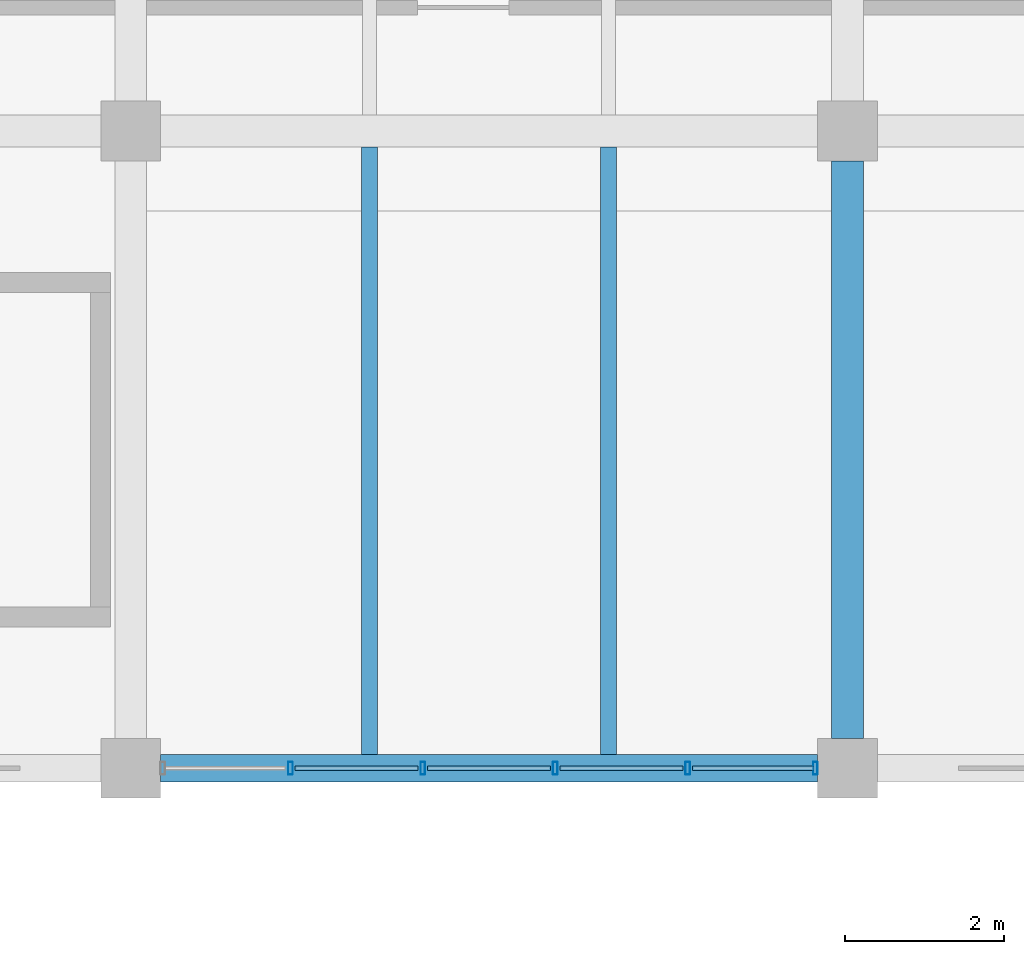
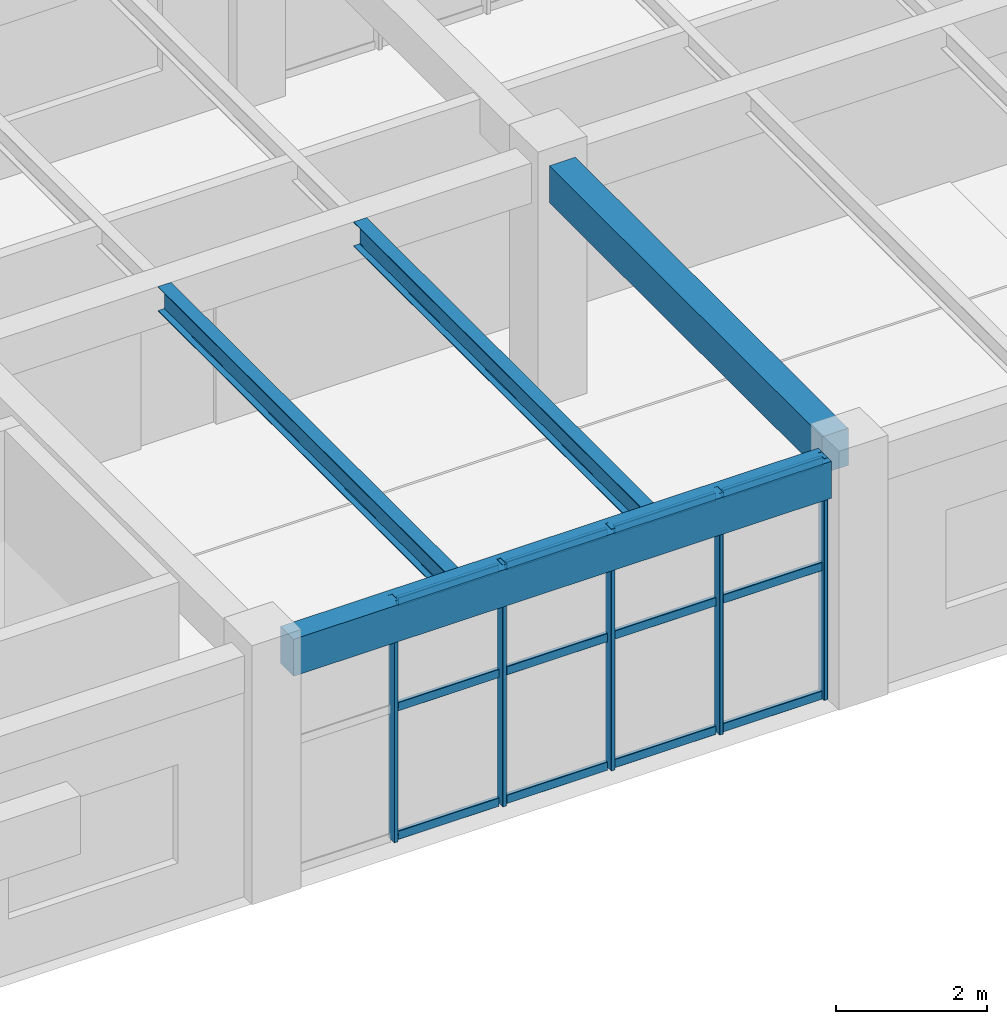
# One storey, part 85 of 148: 17 members, 4 beams, 1 element without a shape of its own.
"""IFC4 building model written with IfcOpenShell, lengths in metres."""

import ifcopenshell
import ifcopenshell.guid

model = None  # the IFC model being written
_history = None  # IfcOwnerHistory: only IFC2X3 demands one
_inside = {}  # id of a spatial element -> (the spatial element, [elements in it])
_under = {}  # id of a project, library or spatial element -> (it, [spatial elements below it])
_declared = {}  # id of a project -> (the project, [libraries it declares])
_typed = {}  # id of a type object -> (the type object, [elements of that type])
_made_of = {}  # id of a material, layer set ... -> (it, [elements and type objects made of it])


def new_model(schema):
    """Start an empty IFC model of exactly this schema.

    Asked for "IFC4X3", IfcOpenShell would pick the latest addendum, in which some entities
    have other attributes; the version numbers below select the first issue.
    IFC2X3 requires an IfcOwnerHistory on every rooted entity: one is made here for all.
    """
    global model, _history
    if schema == "IFC4X3":
        model = ifcopenshell.file(schema_version=(4, 3, 0, 0))
    else:
        model = ifcopenshell.file(schema=schema)
    _inside.clear()
    _under.clear()
    _declared.clear()
    _typed.clear()
    _made_of.clear()
    _history = None
    if model.schema == "IFC2X3":
        org = make("IfcOrganization", Name="unknown")
        user = make(
            "IfcPersonAndOrganization",
            ThePerson=make("IfcPerson", FamilyName="unknown"),
            TheOrganization=org,
        )
        app = make(
            "IfcApplication",
            ApplicationDeveloper=org,
            Version="unknown",
            ApplicationFullName="unknown",
            ApplicationIdentifier="unknown",
        )
        _history = make(
            "IfcOwnerHistory",
            OwningUser=user,
            OwningApplication=app,
            ChangeAction="ADDED",
            CreationDate=0,
        )
    return model


def make(cls, **values):
    """One entity of the class cls with the attributes given. An attribute that is None is left unset."""
    return model.create_entity(
        cls, **{name: value for name, value in values.items() if value is not None}
    )


def rooted(cls, **values):
    """An entity with a GlobalId (a new one), such as an element, a storey or a relation."""
    return make(cls, GlobalId=ifcopenshell.guid.new(), OwnerHistory=_history, **values)


def si_unit(unit_type, name, prefix=None):
    """IfcSIUnit, for example si_unit("LENGTHUNIT", "METRE", prefix="MILLI")."""
    return make("IfcSIUnit", UnitType=unit_type, Prefix=prefix, Name=name)


def derived_unit(unit_type, elements):
    """IfcDerivedUnit: a product of units, each with its exponent."""
    return make(
        "IfcDerivedUnit",
        Elements=[
            make("IfcDerivedUnitElement", Unit=unit, Exponent=power)
            for unit, power in elements
        ],
        UnitType=unit_type,
    )


def assignment(units):
    """IfcUnitAssignment: the units of a project."""
    return None if units is None else make("IfcUnitAssignment", Units=units)


def point(xyz):
    """IfcCartesianPoint."""
    return None if xyz is None else make("IfcCartesianPoint", Coordinates=xyz)


def direction(xyz):
    """IfcDirection."""
    return None if xyz is None else make("IfcDirection", DirectionRatios=xyz)


def frame(location, z_axis=None, x_axis=None):
    """IfcAxis2Placement3D, a coordinate frame: its origin and axes. An axis left out is left unset."""
    return make(
        "IfcAxis2Placement3D",
        Location=point(location),
        Axis=direction(z_axis),
        RefDirection=direction(x_axis),
    )


def frame_2d(location, x_axis=None):
    """IfcAxis2Placement2D, a coordinate frame in the plane: its origin and x axis."""
    return make(
        "IfcAxis2Placement2D", Location=point(location), RefDirection=direction(x_axis)
    )


def origin():
    """The frame at (0, 0, 0) with its axes left unset."""
    return frame((0.0, 0.0, 0.0))


def origin_2d():
    """The frame at (0, 0) in the plane with its x axis left unset."""
    return frame_2d((0.0, 0.0))


def place(relative_to, where):
    """IfcLocalPlacement: puts the frame where relative to a parent placement (None: the world)."""
    return make(
        "IfcLocalPlacement", PlacementRelTo=relative_to, RelativePlacement=where
    )


def context(
    kind, dimensions, precision=None, world=None, true_north=None, identifier=None
):
    """IfcGeometricRepresentationContext, for example the 3D "Model" context."""
    return make(
        "IfcGeometricRepresentationContext",
        ContextIdentifier=identifier,
        ContextType=kind,
        CoordinateSpaceDimension=dimensions,
        Precision=precision,
        WorldCoordinateSystem=world,
        TrueNorth=true_north,
    )


def subcontext(parent, identifier, kind, view, scale=None):
    """IfcGeometricRepresentationSubContext, for example "Body" below "Model"."""
    return make(
        "IfcGeometricRepresentationSubContext",
        ContextIdentifier=identifier,
        ContextType=kind,
        ParentContext=parent,
        TargetScale=scale,
        TargetView=view,
    )


def project(units=None, contexts=None):
    """IfcProject with its units and contexts."""
    return rooted(
        "IfcProject",
        Name="project",
        RepresentationContexts=contexts,
        UnitsInContext=assignment(units),
    )


def spatial(cls, under=None, at=None, **own):
    """A site, building, storey or space (cls), placed at a placement, below another one or the project."""
    s = rooted(cls, ObjectPlacement=at, **own)
    if under is not None:
        _under.setdefault(under.id(), (under, []))[1].append(s)
    return s


def profile(cls, at=None, kind="AREA", **sizes):
    """A parametric profile (cls). Its sizes go by their IFC names, for example OverallWidth=200.0."""
    return make(cls, ProfileType=kind, Position=at, **sizes)


def rectangle(**sizes):
    """IfcRectangleProfileDef."""
    return profile("IfcRectangleProfileDef", **sizes)


def hollow_rectangle(**sizes):
    """IfcRectangleHollowProfileDef."""
    return profile("IfcRectangleHollowProfileDef", **sizes)


def i_section(**sizes):
    """IfcIShapeProfileDef."""
    return profile("IfcIShapeProfileDef", **sizes)


def extrude(swept, where, along, depth):
    """IfcExtrudedAreaSolid: the profile swept, set in the frame where, extruded along a direction by depth."""
    return make(
        "IfcExtrudedAreaSolid",
        SweptArea=swept,
        Position=where,
        ExtrudedDirection=direction(along),
        Depth=depth,
    )


def shape(context_of_items, identifier, shape_type, items):
    """IfcShapeRepresentation: the items that make up one representation, for example the "Body"."""
    return make(
        "IfcShapeRepresentation",
        ContextOfItems=context_of_items,
        RepresentationIdentifier=identifier,
        RepresentationType=shape_type,
        Items=items,
    )


def material(Name=None, Category=None):
    """IfcMaterial."""
    return make("IfcMaterial", Name=Name, Category=Category)


def material_profile(
    of_material, cross_section, Name=None, Category=None, Priority=None
):
    """IfcMaterialProfile: a cross section and its material."""
    return make(
        "IfcMaterialProfile",
        Name=Name,
        Material=of_material,
        Profile=cross_section,
        Priority=Priority,
        Category=Category,
    )


def profile_set(profiles, Name=None, composite=None):
    """IfcMaterialProfileSet."""
    return make(
        "IfcMaterialProfileSet",
        Name=Name,
        MaterialProfiles=profiles,
        CompositeProfile=composite,
    )


def made_of(thing, what):
    """Note that an element or type object is made of a material, layer set ...; save() writes the relation."""
    if what is not None:
        _made_of.setdefault(what.id(), (what, []))[1].append(thing)
    return thing


def type_object(cls, material=None, **own):
    """A type object (cls), such as IfcWallType, which elements share."""
    return made_of(rooted(cls, **own), material)


def element(
    cls,
    number,
    at=None,
    inside=None,
    cuts=None,
    type_object=None,
    material=None,
    context=None,
    identifier="Body",
    shape_type=None,
    held_by="IfcProductDefinitionShape",
    body=None,
    shapes=None,
    **own,
):
    """One element of the class cls, such as IfcWall. Its Tag is "e" and its number.

    at: its placement. inside: the storey or other place that contains it. cuts: it is an
    opening in that element (IfcRelVoidsElement). A single representation is given by context,
    identifier, shape_type and body (its items); several are given by shapes. held_by: the class
    of the entity that holds the representations. save() writes the other relations.
    """
    e = rooted(cls, Tag="e%d" % number, ObjectPlacement=at, **own)
    if body is not None:
        shapes = [shape(context, identifier, shape_type, body)]
    if shapes is not None:
        e.Representation = make(held_by, Representations=shapes)
    if inside is not None:
        _inside.setdefault(inside.id(), (inside, []))[1].append(e)
    if cuts is not None:
        rooted(
            "IfcRelVoidsElement", RelatingBuildingElement=cuts, RelatedOpeningElement=e
        )
    if type_object is not None:
        _typed.setdefault(type_object.id(), (type_object, []))[1].append(e)
    return made_of(e, material)


def aggregate(whole, parts):
    """IfcRelAggregates: a whole, such as a stair, and the parts it consists of."""
    return rooted("IfcRelAggregates", RelatingObject=whole, RelatedObjects=parts)


def save(model, path):
    """Write the relations noted so far, then the file.

    IfcRelAggregates (storeys below a building ...), IfcRelContainedInSpatialStructure (elements
    in a storey), IfcRelDefinesByType, IfcRelAssociatesMaterial and IfcRelDeclares: one each for
    every whole, place, type object, material and project.
    """
    for whole, parts in _under.values():
        aggregate(whole, parts)
    for where, things in _inside.values():
        rooted(
            "IfcRelContainedInSpatialStructure",
            RelatedElements=things,
            RelatingStructure=where,
        )
    for kind, things in _typed.values():
        rooted("IfcRelDefinesByType", RelatedObjects=things, RelatingType=kind)
    for what, things in _made_of.values():
        rooted("IfcRelAssociatesMaterial", RelatedObjects=things, RelatingMaterial=what)
    for by, libraries in _declared.values():
        rooted("IfcRelDeclares", RelatingContext=by, RelatedDefinitions=libraries)
    model.write(path)


model = new_model("IFC4")

# Units and contexts
model_context = context("Model", 3, precision=1e-05, world=origin(), true_north=direction((0.0, 1.0)))
body_context = subcontext(model_context, "Body", "Model", "MODEL_VIEW")
ifc_project = project(units=[si_unit("LENGTHUNIT", "METRE"), si_unit("AREAUNIT", "SQUARE_METRE"), si_unit("VOLUMEUNIT", "CUBIC_METRE"), si_unit("PLANEANGLEUNIT", "RADIAN"), si_unit("MASSUNIT", "GRAM", prefix="KILO"), derived_unit("THERMALTRANSMITTANCEUNIT", [(si_unit("MASSUNIT", "GRAM", prefix="KILO"), 1), (si_unit("TIMEUNIT", "SECOND"), -3), (si_unit("THERMODYNAMICTEMPERATUREUNIT", "KELVIN"), -1)])], contexts=[model_context])

# Site, building, storey
site_placement = place(None, origin())
site = spatial("IfcSite", under=ifc_project, at=site_placement, CompositionType="ELEMENT")
building_placement = place(site_placement, origin())
building = spatial("IfcBuilding", under=site, at=building_placement, Name="Zhenchuan Archway Interchange", CompositionType="ELEMENT")
storey_placement = place(building_placement, frame((0.0, 0.0, 10.199951171875)))
storey = spatial("IfcBuildingStorey", under=building, at=storey_placement, Name="L02", CompositionType="ELEMENT", Elevation=10.199951171875)

# Beam
ifc_material_1 = material(Name="Concrete C40", Category="concrete")
ifc_material_profile_1 = material_profile(ifc_material_1, rectangle(XDim=0.39990234375, YDim=0.60009765625, at=origin_2d()), Name="RC 400x600")
ifc_profile_set_1 = profile_set([ifc_material_profile_1], Name="Concrete C40")
beam_type_1 = type_object("IfcBeamType", Name="BM_RC_400x600", PredefinedType="BEAM", material=ifc_profile_set_1)
beam_1_placement = place(storey_placement, frame((135.0, 8.375, 3.6201171875), z_axis=(0.0, 1.0, 0.0), x_axis=(-1.0, 0.0, 0.0)))
element("IfcBeam", 1, at=beam_1_placement, inside=storey, type_object=beam_type_1, Name="Beam 16:B-C (L02)", PredefinedType="BEAM", context=body_context, shape_type="SweptSolid", body=[
    extrude(rectangle(XDim=0.39990234375, YDim=0.60009765625, at=origin_2d()), origin(), (0.0, 0.0, 1.0), 7.25),
])

# Curtain wall, members
ifc_material_2 = material(Name="Anodised Aluminium", Category="aluminium")
curtain_wall_type = type_object("IfcCurtainWallType", Name="CW_UNIT_3", PredefinedType="NOTDEFINED", material=ifc_material_2)
curtain_wall_placement = place(storey_placement, origin())
curtain_wall = element("IfcCurtainWall", 2, at=curtain_wall_placement, inside=storey, type_object=curtain_wall_type, Name="Unitised curtain wall CW:L02:158", PredefinedType="NOTDEFINED")
ifc_material_profile_2 = material_profile(ifc_material_2, hollow_rectangle(XDim=0.06005859375, YDim=0.159912109375, WallThickness=0.00390625, InnerFilletRadius=0.00390625, OuterFilletRadius=0.008056640625, at=origin_2d()), Name="ALU 160x60x4")
ifc_profile_set_2 = profile_set([ifc_material_profile_2], Name="Anodised Aluminium")
member_type_1 = type_object("IfcMemberType", Name="CW_MUL_150", PredefinedType="MULLION", material=ifc_profile_set_2)
member_1_placement = place(storey_placement, frame((134.596923828125, 8.0, 0.0), z_axis=(0.0, 0.0, 1.0), x_axis=(1.0, 0.0, 0.0)))
member_1 = element("IfcMember", 3, at=member_1_placement, type_object=member_type_1, Name="CW:L02:158 mullion 0", PredefinedType="MULLION", context=body_context, shape_type="SweptSolid", body=[
    extrude(hollow_rectangle(XDim=0.06005859375, YDim=0.159912109375, WallThickness=0.00390625, InnerFilletRadius=0.00390625, OuterFilletRadius=0.008056640625, at=origin_2d()), origin(), (0.0, 0.0, 1.0), 3.920166015625),
])
member_2_placement = place(storey_placement, frame((132.994140625, 8.0, 0.0), z_axis=(0.0, 0.0, 1.0), x_axis=(1.0, 0.0, 0.0)))
member_2 = element("IfcMember", 4, at=member_2_placement, type_object=member_type_1, Name="CW:L02:158 mullion 1", PredefinedType="MULLION", context=body_context, shape_type="SweptSolid", body=[
    extrude(hollow_rectangle(XDim=0.06005859375, YDim=0.159912109375, WallThickness=0.00390625, InnerFilletRadius=0.00390625, OuterFilletRadius=0.008056640625, at=origin_2d()), origin(), (0.0, 0.0, 1.0), 3.920166015625),
])
member_3_placement = place(storey_placement, frame((131.331298828125, 8.0, 0.0), z_axis=(0.0, 0.0, 1.0), x_axis=(1.0, 0.0, 0.0)))
member_3 = element("IfcMember", 5, at=member_3_placement, type_object=member_type_1, Name="CW:L02:158 mullion 2", PredefinedType="MULLION", context=body_context, shape_type="SweptSolid", body=[
    extrude(hollow_rectangle(XDim=0.06005859375, YDim=0.159912109375, WallThickness=0.00390625, InnerFilletRadius=0.00390625, OuterFilletRadius=0.008056640625, at=origin_2d()), origin(), (0.0, 0.0, 1.0), 3.920166015625),
])
member_4_placement = place(storey_placement, frame((129.668701171875, 8.0, 0.0), z_axis=(0.0, 0.0, 1.0), x_axis=(1.0, 0.0, 0.0)))
member_4 = element("IfcMember", 6, at=member_4_placement, type_object=member_type_1, Name="CW:L02:158 mullion 3", PredefinedType="MULLION", context=body_context, shape_type="SweptSolid", body=[
    extrude(hollow_rectangle(XDim=0.06005859375, YDim=0.159912109375, WallThickness=0.00390625, InnerFilletRadius=0.00390625, OuterFilletRadius=0.008056640625, at=origin_2d()), origin(), (0.0, 0.0, 1.0), 3.920166015625),
])
member_5_placement = place(storey_placement, frame((128.005859375, 8.0, 0.0), z_axis=(0.0, 0.0, 1.0), x_axis=(1.0, 0.0, 0.0)))
member_5 = element("IfcMember", 7, at=member_5_placement, type_object=member_type_1, Name="CW:L02:158 mullion 4", PredefinedType="MULLION", context=body_context, shape_type="SweptSolid", body=[
    extrude(hollow_rectangle(XDim=0.06005859375, YDim=0.159912109375, WallThickness=0.00390625, InnerFilletRadius=0.00390625, OuterFilletRadius=0.008056640625, at=origin_2d()), origin(), (0.0, 0.0, 1.0), 3.920166015625),
])
ifc_material_profile_3 = material_profile(ifc_material_2, hollow_rectangle(XDim=0.06005859375, YDim=0.139892578125, WallThickness=0.00341796875, InnerFilletRadius=0.00341796875, OuterFilletRadius=0.007080078125, at=origin_2d()), Name="ALU 140x60x3.5")
ifc_profile_set_3 = profile_set([ifc_material_profile_3], Name="Anodised Aluminium")
member_type_2 = type_object("IfcMemberType", Name="CW_TRN_140", PredefinedType="USERDEFINED", material=ifc_profile_set_3)
member_6_placement = place(storey_placement, frame((134.576904296875, 8.0, 0.06005859375), z_axis=(-1.0, 0.0, 0.0), x_axis=(0.0, -1.0, 0.0)))
member_6 = element("IfcMember", 8, at=member_6_placement, type_object=member_type_2, Name="CW:L02:158 transom 0-1", ObjectType="TRANSOM", PredefinedType="USERDEFINED", context=body_context, shape_type="SweptSolid", body=[
    extrude(hollow_rectangle(XDim=0.06005859375, YDim=0.139892578125, WallThickness=0.00341796875, InnerFilletRadius=0.00341796875, OuterFilletRadius=0.007080078125, at=origin_2d()), origin(), (0.0, 0.0, 1.0), 1.522705078125),
])
member_7_placement = place(storey_placement, frame((134.576904296875, 8.0, 2.14501953125), z_axis=(-1.0, 0.0, 0.0), x_axis=(0.0, -1.0, 0.0)))
member_7 = element("IfcMember", 9, at=member_7_placement, type_object=member_type_2, Name="CW:L02:158 transom 0-2", ObjectType="TRANSOM", PredefinedType="USERDEFINED", context=body_context, shape_type="SweptSolid", body=[
    extrude(hollow_rectangle(XDim=0.06005859375, YDim=0.139892578125, WallThickness=0.00341796875, InnerFilletRadius=0.00341796875, OuterFilletRadius=0.007080078125, at=origin_2d()), origin(), (0.0, 0.0, 1.0), 1.522705078125),
])
member_8_placement = place(storey_placement, frame((134.576904296875, 8.0, 3.840087890625), z_axis=(-1.0, 0.0, 0.0), x_axis=(0.0, -1.0, 0.0)))
member_8 = element("IfcMember", 10, at=member_8_placement, type_object=member_type_2, Name="CW:L02:158 transom 0-3", ObjectType="TRANSOM", PredefinedType="USERDEFINED", context=body_context, shape_type="SweptSolid", body=[
    extrude(hollow_rectangle(XDim=0.06005859375, YDim=0.139892578125, WallThickness=0.00341796875, InnerFilletRadius=0.00341796875, OuterFilletRadius=0.007080078125, at=origin_2d()), origin(), (0.0, 0.0, 1.0), 1.522705078125),
])
member_9_placement = place(storey_placement, frame((132.93408203125, 8.0, 0.06005859375), z_axis=(-1.0, 0.0, 0.0), x_axis=(0.0, -1.0, 0.0)))
member_9 = element("IfcMember", 11, at=member_9_placement, type_object=member_type_2, Name="CW:L02:158 transom 1-1", ObjectType="TRANSOM", PredefinedType="USERDEFINED", context=body_context, shape_type="SweptSolid", body=[
    extrude(hollow_rectangle(XDim=0.06005859375, YDim=0.139892578125, WallThickness=0.00341796875, InnerFilletRadius=0.00341796875, OuterFilletRadius=0.007080078125, at=origin_2d()), origin(), (0.0, 0.0, 1.0), 1.542724609375),
])
member_10_placement = place(storey_placement, frame((132.93408203125, 8.0, 2.14501953125), z_axis=(-1.0, 0.0, 0.0), x_axis=(0.0, -1.0, 0.0)))
member_10 = element("IfcMember", 12, at=member_10_placement, type_object=member_type_2, Name="CW:L02:158 transom 1-2", ObjectType="TRANSOM", PredefinedType="USERDEFINED", context=body_context, shape_type="SweptSolid", body=[
    extrude(hollow_rectangle(XDim=0.06005859375, YDim=0.139892578125, WallThickness=0.00341796875, InnerFilletRadius=0.00341796875, OuterFilletRadius=0.007080078125, at=origin_2d()), origin(), (0.0, 0.0, 1.0), 1.542724609375),
])
member_11_placement = place(storey_placement, frame((132.93408203125, 8.0, 3.840087890625), z_axis=(-1.0, 0.0, 0.0), x_axis=(0.0, -1.0, 0.0)))
member_11 = element("IfcMember", 13, at=member_11_placement, type_object=member_type_2, Name="CW:L02:158 transom 1-3", ObjectType="TRANSOM", PredefinedType="USERDEFINED", context=body_context, shape_type="SweptSolid", body=[
    extrude(hollow_rectangle(XDim=0.06005859375, YDim=0.139892578125, WallThickness=0.00341796875, InnerFilletRadius=0.00341796875, OuterFilletRadius=0.007080078125, at=origin_2d()), origin(), (0.0, 0.0, 1.0), 1.542724609375),
])
member_12_placement = place(storey_placement, frame((131.271484375, 8.0, 0.06005859375), z_axis=(-1.0, 0.0, 0.0), x_axis=(0.0, -1.0, 0.0)))
member_12 = element("IfcMember", 14, at=member_12_placement, type_object=member_type_2, Name="CW:L02:158 transom 2-1", ObjectType="TRANSOM", PredefinedType="USERDEFINED", context=body_context, shape_type="SweptSolid", body=[
    extrude(hollow_rectangle(XDim=0.06005859375, YDim=0.139892578125, WallThickness=0.00341796875, InnerFilletRadius=0.00341796875, OuterFilletRadius=0.007080078125, at=origin_2d()), origin(), (0.0, 0.0, 1.0), 1.54296875),
])
member_13_placement = place(storey_placement, frame((131.271484375, 8.0, 2.14501953125), z_axis=(-1.0, 0.0, 0.0), x_axis=(0.0, -1.0, 0.0)))
member_13 = element("IfcMember", 15, at=member_13_placement, type_object=member_type_2, Name="CW:L02:158 transom 2-2", ObjectType="TRANSOM", PredefinedType="USERDEFINED", context=body_context, shape_type="SweptSolid", body=[
    extrude(hollow_rectangle(XDim=0.06005859375, YDim=0.139892578125, WallThickness=0.00341796875, InnerFilletRadius=0.00341796875, OuterFilletRadius=0.007080078125, at=origin_2d()), origin(), (0.0, 0.0, 1.0), 1.54296875),
])
member_14_placement = place(storey_placement, frame((131.271484375, 8.0, 3.840087890625), z_axis=(-1.0, 0.0, 0.0), x_axis=(0.0, -1.0, 0.0)))
member_14 = element("IfcMember", 16, at=member_14_placement, type_object=member_type_2, Name="CW:L02:158 transom 2-3", ObjectType="TRANSOM", PredefinedType="USERDEFINED", context=body_context, shape_type="SweptSolid", body=[
    extrude(hollow_rectangle(XDim=0.06005859375, YDim=0.139892578125, WallThickness=0.00341796875, InnerFilletRadius=0.00341796875, OuterFilletRadius=0.007080078125, at=origin_2d()), origin(), (0.0, 0.0, 1.0), 1.54296875),
])
member_15_placement = place(storey_placement, frame((129.608642578125, 8.0, 0.06005859375), z_axis=(-1.0, 0.0, 0.0), x_axis=(0.0, -1.0, 0.0)))
member_15 = element("IfcMember", 17, at=member_15_placement, type_object=member_type_2, Name="CW:L02:158 transom 3-1", ObjectType="TRANSOM", PredefinedType="USERDEFINED", context=body_context, shape_type="SweptSolid", body=[
    extrude(hollow_rectangle(XDim=0.06005859375, YDim=0.139892578125, WallThickness=0.00341796875, InnerFilletRadius=0.00341796875, OuterFilletRadius=0.007080078125, at=origin_2d()), origin(), (0.0, 0.0, 1.0), 1.542724609375),
])
member_16_placement = place(storey_placement, frame((129.608642578125, 8.0, 2.14501953125), z_axis=(-1.0, 0.0, 0.0), x_axis=(0.0, -1.0, 0.0)))
member_16 = element("IfcMember", 18, at=member_16_placement, type_object=member_type_2, Name="CW:L02:158 transom 3-2", ObjectType="TRANSOM", PredefinedType="USERDEFINED", context=body_context, shape_type="SweptSolid", body=[
    extrude(hollow_rectangle(XDim=0.06005859375, YDim=0.139892578125, WallThickness=0.00341796875, InnerFilletRadius=0.00341796875, OuterFilletRadius=0.007080078125, at=origin_2d()), origin(), (0.0, 0.0, 1.0), 1.542724609375),
])
member_17_placement = place(storey_placement, frame((129.608642578125, 8.0, 3.840087890625), z_axis=(-1.0, 0.0, 0.0), x_axis=(0.0, -1.0, 0.0)))
member_17 = element("IfcMember", 19, at=member_17_placement, type_object=member_type_2, Name="CW:L02:158 transom 3-3", ObjectType="TRANSOM", PredefinedType="USERDEFINED", context=body_context, shape_type="SweptSolid", body=[
    extrude(hollow_rectangle(XDim=0.06005859375, YDim=0.139892578125, WallThickness=0.00341796875, InnerFilletRadius=0.00341796875, OuterFilletRadius=0.007080078125, at=origin_2d()), origin(), (0.0, 0.0, 1.0), 1.542724609375),
])
aggregate(curtain_wall, [member_1, member_2, member_3, member_4, member_5, member_6, member_7, member_8, member_9, member_10, member_11, member_12, member_13, member_14, member_15, member_16, member_17])

# Beams
ifc_material_3 = material(Name="Steel Q355", Category="steel")
ifc_material_profile_4 = material_profile(ifc_material_3, i_section(OverallWidth=0.199951171875, OverallDepth=0.39990234375, WebThickness=0.008056640625, FlangeThickness=0.012939453125, FilletRadius=0.01611328125, at=origin_2d()), Name="HN 400x200")
ifc_profile_set_4 = profile_set([ifc_material_profile_4], Name="Steel Q355")
beam_type_2 = type_object("IfcBeamType", Name="JST_STL_HN400", PredefinedType="JOIST", material=ifc_profile_set_4)
for number, where, z_axis, x_axis, name in (
    (20, (129.0, 8.175048828125, 3.719970703125), (0.0, 1.0, 0.0), (-1.0, 0.0, 0.0), "Secondary joist 15-16/B-C #1 (L02)"),
    (21, (132.0, 8.175048828125, 3.719970703125), (0.0, 1.0, 0.0), (-1.0, 0.0, 0.0), "Secondary joist 15-16/B-C #2 (L02)"),
):
    element("IfcBeam", number, at=place(storey_placement, frame(where, z_axis=z_axis, x_axis=x_axis)), inside=storey, type_object=beam_type_2, Name=name, PredefinedType="JOIST", context=body_context, shape_type="SweptSolid", body=[
        extrude(i_section(OverallWidth=0.199951171875, OverallDepth=0.39990234375, WebThickness=0.008056640625, FlangeThickness=0.012939453125, FilletRadius=0.01611328125, at=origin_2d()), origin(), (0.0, 0.0, 1.0), 7.625),
    ])
ifc_material_profile_5 = material_profile(ifc_material_1, rectangle(XDim=0.35009765625, YDim=0.60009765625, at=origin_2d()), Name="RC 350x600")
ifc_profile_set_5 = profile_set([ifc_material_profile_5], Name="Concrete C40")
beam_type_3 = type_object("IfcBeamType", Name="SP_RC_350x600", PredefinedType="SPANDREL", material=ifc_profile_set_5)
beam_2_placement = place(storey_placement, frame((126.375, 8.0, 3.6201171875), z_axis=(1.0, 0.0, 0.0), x_axis=(0.0, 1.0, 0.0)))
element("IfcBeam", 22, at=beam_2_placement, inside=storey, type_object=beam_type_3, Name="Beam B:15-16 (L02)", PredefinedType="SPANDREL", context=body_context, shape_type="SweptSolid", body=[
    extrude(rectangle(XDim=0.35009765625, YDim=0.60009765625, at=origin_2d()), origin(), (0.0, 0.0, 1.0), 8.25),
])

save(model, "model.ifc")
